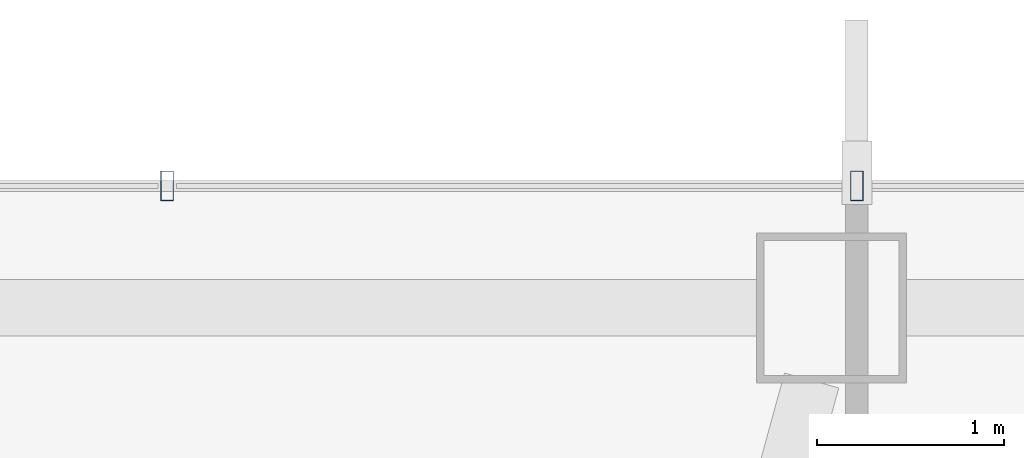
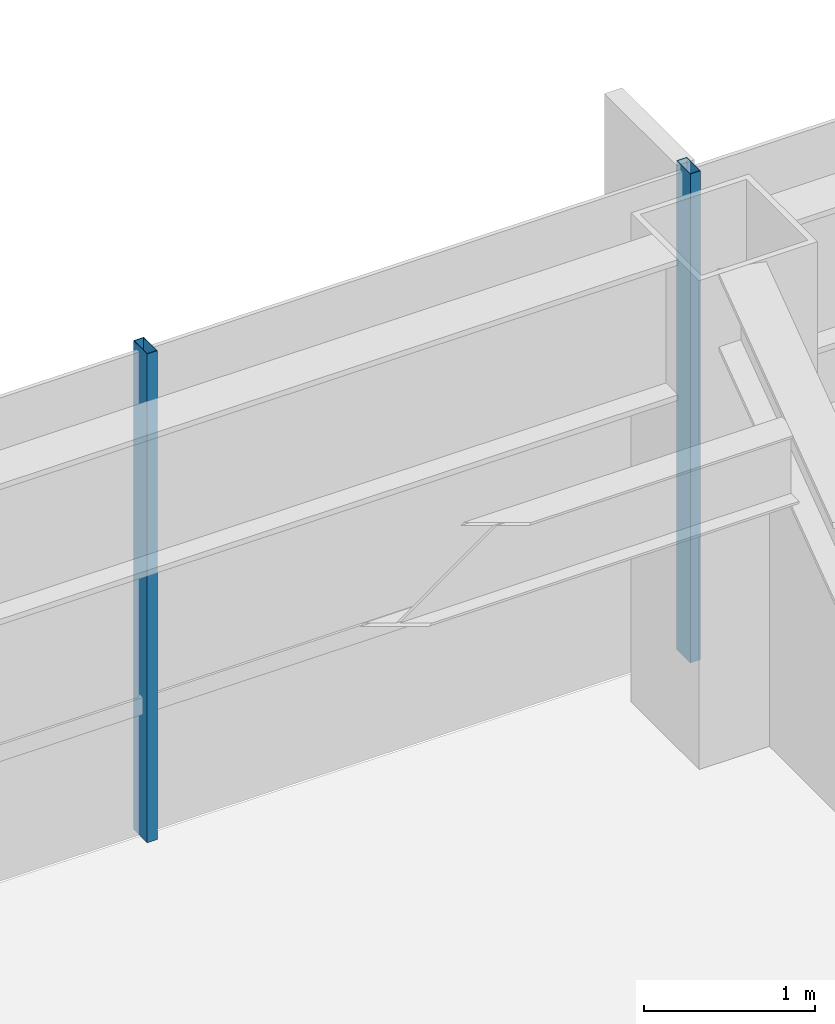
# One storey, part 15 of 28: 2 members, 1 element without a shape of its own.
"""IFC4 building model written with IfcOpenShell, lengths in metres."""

from ifc_helpers import new_model, si_unit, direction, frame, origin, origin_2d, place, context, subcontext, project, spatial, hollow_rectangle, extrude, material, layer, layer_set, material_profile, profile_set, type_object, element, aggregate, save


model = new_model("IFC4")

# Units and contexts
model_context = context("Model", 3, precision=1e-05, world=origin(), true_north=direction((0.0, 1.0)))
body_context = subcontext(model_context, "Body", "Model", "MODEL_VIEW")
ifc_project = project(units=[si_unit("LENGTHUNIT", "METRE"), si_unit("AREAUNIT", "SQUARE_METRE"), si_unit("VOLUMEUNIT", "CUBIC_METRE"), si_unit("PLANEANGLEUNIT", "RADIAN"), si_unit("MASSUNIT", "GRAM", prefix="KILO")], contexts=[model_context])

# Site, building, storey
site_placement = place(None, origin())
site = spatial("IfcSite", under=ifc_project, at=site_placement, CompositionType="ELEMENT")
building_placement = place(site_placement, origin())
building = spatial("IfcBuilding", under=site, at=building_placement, Name="Zarrinselat Tower", CompositionType="ELEMENT")
storey_placement = place(building_placement, frame((0.0, 0.0, 123.419921875)))
storey = spatial("IfcBuildingStorey", under=building, at=storey_placement, Name="L29", CompositionType="ELEMENT", Elevation=123.419921875)

# Curtain wall, members
ifc_material_1 = material(Name="Extruded Aluminium Alloy EN AW-6063 T6", Category="aluminium")
ifc_layer = layer(ifc_material_1, 0.175048828125)
ifc_layer_set = layer_set([ifc_layer], Name="Extruded Aluminium Alloy EN AW-6063 T6")
curtain_wall_type = type_object("IfcCurtainWallType", Name="CWS-HTL", PredefinedType="NOTDEFINED", material=ifc_layer_set)
curtain_wall_placement = place(storey_placement, origin())
curtain_wall = element("IfcCurtainWall", 1, at=curtain_wall_placement, inside=storey, type_object=curtain_wall_type, Name="L29 Unitised Curtain Wall CW-L29-E01", PredefinedType="NOTDEFINED")
ifc_material_2 = material(Name="Extruded Aluminium Alloy EN AW-6063 T6", Category="aluminium")
ifc_material_profile = material_profile(ifc_material_2, hollow_rectangle(XDim=0.070068359375, YDim=0.159912109375, WallThickness=0.00390625, at=origin_2d()), Name="RHS 160x70x4")
ifc_profile_set = profile_set([ifc_material_profile], Name="Extruded Aluminium Alloy EN AW-6063 T6")
member_type = type_object("IfcMemberType", Name="MEM-CW-MUL2", PredefinedType="MULLION", material=ifc_profile_set)
member_1_placement = place(storey_placement, frame((47.300048828125, 49.2666015625, 0.0), z_axis=(0.0, 0.0, 1.0), x_axis=(-1.0, 0.0, 0.0)))
member_1 = element("IfcMember", 2, at=member_1_placement, type_object=member_type, Name="CW-L29-E01 Mullion 3", PredefinedType="MULLION", context=body_context, shape_type="SweptSolid", body=[
    extrude(hollow_rectangle(XDim=0.070068359375, YDim=0.159912109375, WallThickness=0.00390625, at=origin_2d()), origin(), (0.0, 0.0, 1.0), 3.5),
])
member_2_placement = place(storey_placement, frame((43.62109375, 49.2666015625, 0.0), z_axis=(0.0, 0.0, 1.0), x_axis=(-1.0, 0.0, 0.0)))
member_2 = element("IfcMember", 3, at=member_2_placement, type_object=member_type, Name="CW-L29-E01 Mullion 4", PredefinedType="MULLION", context=body_context, shape_type="SweptSolid", body=[
    extrude(hollow_rectangle(XDim=0.070068359375, YDim=0.159912109375, WallThickness=0.00390625, at=origin_2d()), origin(), (0.0, 0.0, 1.0), 3.5),
])
aggregate(curtain_wall, [member_1, member_2])

save(model, "model.ifc")
